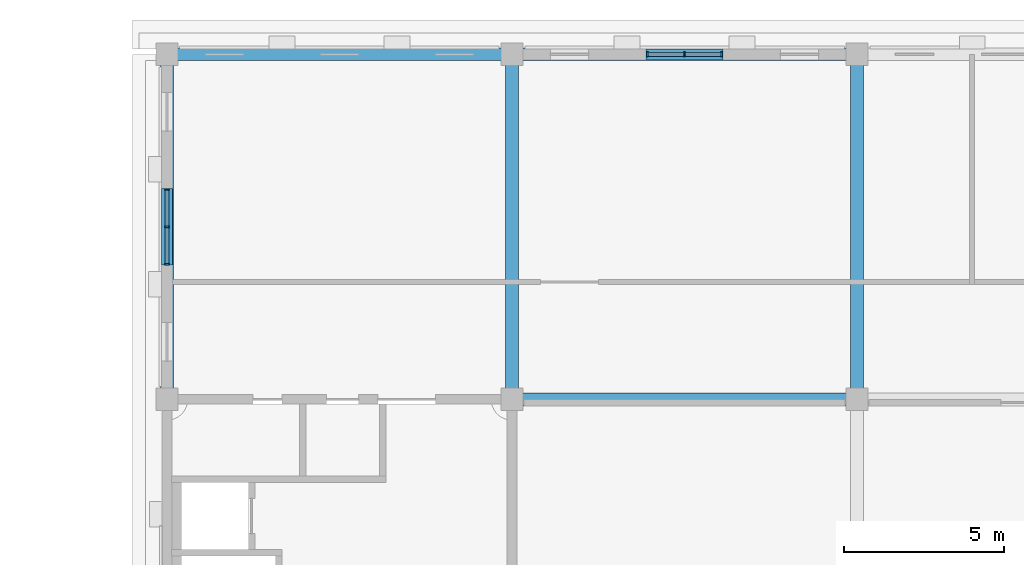
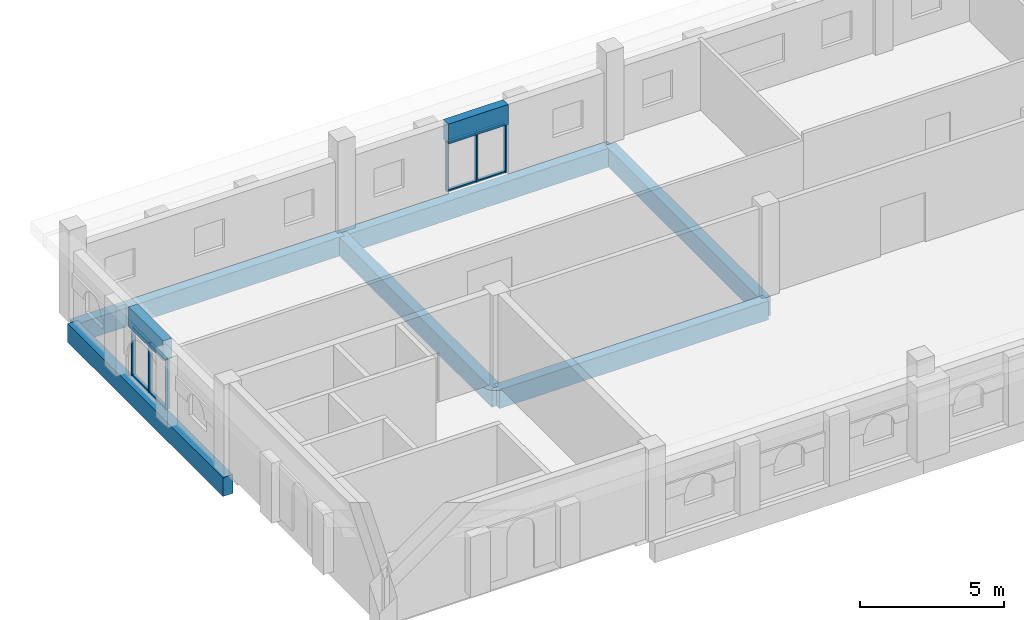
# One storey, part 3 of 10: 14 members, 8 beams, 2 elements without a shape of their own.
"""IFC4 building model written with IfcOpenShell, lengths in metres."""

from ifc_helpers import new_model, si_unit, direction, frame, origin, origin_2d, place, context, subcontext, project, spatial, rectangle, extrude, material, layer, layer_set, material_profile, profile_set, type_object, element, aggregate, save


model = new_model("IFC4")

# Units and contexts
model_context = context("Model", 3, precision=1e-05, world=origin(), true_north=direction((0.0, 1.0)))
body_context = subcontext(model_context, "Body", "Model", "MODEL_VIEW")
ifc_project = project(units=[si_unit("LENGTHUNIT", "METRE"), si_unit("AREAUNIT", "SQUARE_METRE"), si_unit("VOLUMEUNIT", "CUBIC_METRE"), si_unit("PLANEANGLEUNIT", "RADIAN"), si_unit("MASSUNIT", "GRAM", prefix="KILO")], contexts=[model_context])

# Site, building, storey
site_placement = place(None, origin())
site = spatial("IfcSite", under=ifc_project, at=site_placement, CompositionType="ELEMENT")
building_placement = place(site_placement, origin())
building = spatial("IfcBuilding", under=site, at=building_placement, Name="Magnolia Steps Interchange", CompositionType="ELEMENT")
storey_placement = place(building_placement, frame((0.0, 0.0, 24.300048828125)))
storey = spatial("IfcBuildingStorey", under=building, at=storey_placement, Name="L06", CompositionType="ELEMENT", Elevation=24.300048828125)

# Curtain wall, members
ifc_material_1 = material(Name="Powder-coated aluminium and glass", Category="aluminium")
ifc_layer = layer(ifc_material_1, 0.199951171875)
ifc_layer_set = layer_set([ifc_layer], Name="Glazed central bay curtain wall")
curtain_wall_type = type_object("IfcCurtainWallType", Name="Glazed central bay curtain wall", PredefinedType="NOTDEFINED", material=ifc_layer_set)
curtain_wall_1_placement = place(storey_placement, origin())
curtain_wall_1 = element("IfcCurtainWall", 1, at=curtain_wall_1_placement, inside=storey, type_object=curtain_wall_type, Name="Operations building north wall L06 glazing 2", PredefinedType="NOTDEFINED")
ifc_material_2 = material(Name="White powder-coated aluminium", Category="aluminium")
ifc_material_profile_1 = material_profile(ifc_material_2, rectangle(XDim=0.06005859375, YDim=0.14990234375, at=origin_2d()), Name="Aluminium mullion 60 x 150")
ifc_profile_set_1 = profile_set([ifc_material_profile_1], Name="White powder-coated aluminium")
member_type_1 = type_object("IfcMemberType", Name="Aluminium mullion 60 x 150", PredefinedType="MULLION", material=ifc_profile_set_1)
member_1_placement = place(storey_placement, frame((79.030029296875, 118.0, 0.0), z_axis=(0.0, 0.0, 1.0), x_axis=(1.0, 0.0, 0.0)))
member_1 = element("IfcMember", 2, at=member_1_placement, type_object=member_type_1, Name="CW2 mullion 1", PredefinedType="MULLION", context=body_context, shape_type="SweptSolid", body=[
    extrude(rectangle(XDim=0.06005859375, YDim=0.14990234375, at=origin_2d()), origin(), (0.0, 0.0, 1.0), 2.099853515625),
])
member_2_placement = place(storey_placement, frame((80.199951171875, 118.0, 0.0), z_axis=(0.0, 0.0, 1.0), x_axis=(1.0, 0.0, 0.0)))
member_2 = element("IfcMember", 3, at=member_2_placement, type_object=member_type_1, Name="CW2 mullion 2", PredefinedType="MULLION", context=body_context, shape_type="SweptSolid", body=[
    extrude(rectangle(XDim=0.06005859375, YDim=0.14990234375, at=origin_2d()), origin(), (0.0, 0.0, 1.0), 2.099853515625),
])
member_3_placement = place(storey_placement, frame((81.3701171875, 118.0, 0.0), z_axis=(0.0, 0.0, 1.0), x_axis=(1.0, 0.0, 0.0)))
member_3 = element("IfcMember", 4, at=member_3_placement, type_object=member_type_1, Name="CW2 mullion 3", PredefinedType="MULLION", context=body_context, shape_type="SweptSolid", body=[
    extrude(rectangle(XDim=0.06005859375, YDim=0.14990234375, at=origin_2d()), origin(), (0.0, 0.0, 1.0), 2.099853515625),
])

curtain_wall_2_placement = place(storey_placement, origin())
curtain_wall_2 = element("IfcCurtainWall", 5, at=curtain_wall_2_placement, inside=storey, type_object=curtain_wall_type, Name="Operations building west wall L06 glazing 2", PredefinedType="NOTDEFINED")
member_4_placement = place(storey_placement, frame((64.0, 111.429931640625, 0.0), z_axis=(0.0, 0.0, 1.0), x_axis=(0.0, 1.0, 0.0)))
member_4 = element("IfcMember", 6, at=member_4_placement, type_object=member_type_1, Name="CW2 mullion 1", PredefinedType="MULLION", context=body_context, shape_type="SweptSolid", body=[
    extrude(rectangle(XDim=0.06005859375, YDim=0.14990234375, at=origin_2d()), origin(), (0.0, 0.0, 1.0), 2.099853515625),
])
member_5_placement = place(storey_placement, frame((64.0, 112.60009765625, 0.0), z_axis=(0.0, 0.0, 1.0), x_axis=(0.0, 1.0, 0.0)))
member_5 = element("IfcMember", 7, at=member_5_placement, type_object=member_type_1, Name="CW2 mullion 2", PredefinedType="MULLION", context=body_context, shape_type="SweptSolid", body=[
    extrude(rectangle(XDim=0.06005859375, YDim=0.14990234375, at=origin_2d()), origin(), (0.0, 0.0, 1.0), 2.099853515625),
])
member_6_placement = place(storey_placement, frame((64.0, 113.77001953125, 0.0), z_axis=(0.0, 0.0, 1.0), x_axis=(0.0, 1.0, 0.0)))
member_6 = element("IfcMember", 8, at=member_6_placement, type_object=member_type_1, Name="CW2 mullion 3", PredefinedType="MULLION", context=body_context, shape_type="SweptSolid", body=[
    extrude(rectangle(XDim=0.06005859375, YDim=0.14990234375, at=origin_2d()), origin(), (0.0, 0.0, 1.0), 2.099853515625),
])

# Member
ifc_material_3 = material(Name="White powder-coated aluminium", Category="aluminium")
ifc_material_profile_2 = material_profile(ifc_material_3, rectangle(XDim=0.06005859375, YDim=0.1201171875, at=origin_2d()), Name="Aluminium transom 60 x 120")
ifc_profile_set_2 = profile_set([ifc_material_profile_2], Name="White powder-coated aluminium")
member_type_2 = type_object("IfcMemberType", Name="Aluminium transom 60 x 120", PredefinedType="USERDEFINED", material=ifc_profile_set_2)
member_7_placement = place(storey_placement, frame((79.06005859375, 118.0, 0.030029296875), z_axis=(1.0, 0.0, 0.0), x_axis=(0.0, 0.0, 1.0)))
member_7 = element("IfcMember", 9, at=member_7_placement, type_object=member_type_2, Name="CW2 transom 1.1", ObjectType="TRANSOM", PredefinedType="USERDEFINED", context=body_context, shape_type="SweptSolid", body=[
    extrude(rectangle(XDim=0.06005859375, YDim=0.1201171875, at=origin_2d()), origin(), (0.0, 0.0, 1.0), 1.10986328125),
])

member_8_placement = place(storey_placement, frame((79.06005859375, 118.0, 2.070068359375), z_axis=(1.0, 0.0, 0.0), x_axis=(0.0, 0.0, 1.0)))
member_8 = element("IfcMember", 10, at=member_8_placement, type_object=member_type_2, Name="CW2 transom 1.2", ObjectType="TRANSOM", PredefinedType="USERDEFINED", context=body_context, shape_type="SweptSolid", body=[
    extrude(rectangle(XDim=0.06005859375, YDim=0.1201171875, at=origin_2d()), origin(), (0.0, 0.0, 1.0), 1.10986328125),
])

member_9_placement = place(storey_placement, frame((80.22998046875, 118.0, 0.030029296875), z_axis=(1.0, 0.0, 0.0), x_axis=(0.0, 0.0, 1.0)))
member_9 = element("IfcMember", 11, at=member_9_placement, type_object=member_type_2, Name="CW2 transom 2.1", ObjectType="TRANSOM", PredefinedType="USERDEFINED", context=body_context, shape_type="SweptSolid", body=[
    extrude(rectangle(XDim=0.06005859375, YDim=0.1201171875, at=origin_2d()), origin(), (0.0, 0.0, 1.0), 1.110107421875),
])

member_10_placement = place(storey_placement, frame((80.22998046875, 118.0, 2.070068359375), z_axis=(1.0, 0.0, 0.0), x_axis=(0.0, 0.0, 1.0)))
member_10 = element("IfcMember", 12, at=member_10_placement, type_object=member_type_2, Name="CW2 transom 2.2", ObjectType="TRANSOM", PredefinedType="USERDEFINED", context=body_context, shape_type="SweptSolid", body=[
    extrude(rectangle(XDim=0.06005859375, YDim=0.1201171875, at=origin_2d()), origin(), (0.0, 0.0, 1.0), 1.110107421875),
])

aggregate(curtain_wall_1, [member_1, member_2, member_3, member_7, member_8, member_9, member_10])

member_11_placement = place(storey_placement, frame((64.0, 111.4599609375, 0.030029296875), z_axis=(0.0, 1.0, 0.0), x_axis=(0.0, 0.0, 1.0)))
member_11 = element("IfcMember", 13, at=member_11_placement, type_object=member_type_2, Name="CW2 transom 1.1", ObjectType="TRANSOM", PredefinedType="USERDEFINED", context=body_context, shape_type="SweptSolid", body=[
    extrude(rectangle(XDim=0.06005859375, YDim=0.1201171875, at=origin_2d()), origin(), (0.0, 0.0, 1.0), 1.110107421875),
])

member_12_placement = place(storey_placement, frame((64.0, 111.4599609375, 2.070068359375), z_axis=(0.0, 1.0, 0.0), x_axis=(0.0, 0.0, 1.0)))
member_12 = element("IfcMember", 14, at=member_12_placement, type_object=member_type_2, Name="CW2 transom 1.2", ObjectType="TRANSOM", PredefinedType="USERDEFINED", context=body_context, shape_type="SweptSolid", body=[
    extrude(rectangle(XDim=0.06005859375, YDim=0.1201171875, at=origin_2d()), origin(), (0.0, 0.0, 1.0), 1.110107421875),
])

member_13_placement = place(storey_placement, frame((64.0, 112.6298828125, 0.030029296875), z_axis=(0.0, 1.0, 0.0), x_axis=(0.0, 0.0, 1.0)))
member_13 = element("IfcMember", 15, at=member_13_placement, type_object=member_type_2, Name="CW2 transom 2.1", ObjectType="TRANSOM", PredefinedType="USERDEFINED", context=body_context, shape_type="SweptSolid", body=[
    extrude(rectangle(XDim=0.06005859375, YDim=0.1201171875, at=origin_2d()), origin(), (0.0, 0.0, 1.0), 1.110107421875),
])

member_14_placement = place(storey_placement, frame((64.0, 112.6298828125, 2.070068359375), z_axis=(0.0, 1.0, 0.0), x_axis=(0.0, 0.0, 1.0)))
member_14 = element("IfcMember", 16, at=member_14_placement, type_object=member_type_2, Name="CW2 transom 2.2", ObjectType="TRANSOM", PredefinedType="USERDEFINED", context=body_context, shape_type="SweptSolid", body=[
    extrude(rectangle(XDim=0.06005859375, YDim=0.1201171875, at=origin_2d()), origin(), (0.0, 0.0, 1.0), 1.110107421875),
])

aggregate(curtain_wall_2, [member_4, member_5, member_6, member_11, member_12, member_13, member_14])

# Beams
ifc_material_4 = material(Name="Concrete C40", Category="concrete")
ifc_material_profile_3 = material_profile(ifc_material_4, rectangle(XDim=0.35009765625, YDim=0.85009765625, at=origin_2d()), Name="RC350x850")
ifc_profile_set_3 = profile_set([ifc_material_profile_3], Name="Concrete C40")
beam_type_1 = type_object("IfcBeamType", Name="Lime render lintel 350x850", PredefinedType="LINTEL", material=ifc_profile_set_3)
beam_1_placement = place(storey_placement, frame((79.0, 118.0, 2.52490234375), z_axis=(1.0, 0.0, 0.0), x_axis=(0.0, 1.0, 0.0)))
element("IfcBeam", 17, at=beam_1_placement, inside=storey, type_object=beam_type_1, Name="Operations building north wall L06 lintel 2", PredefinedType="LINTEL", context=body_context, shape_type="SweptSolid", body=[
    extrude(rectangle(XDim=0.35009765625, YDim=0.85009765625, at=origin_2d()), origin(), (0.0, 0.0, 1.0), 2.39990234375),
])
beam_2_placement = place(storey_placement, frame((64.0, 111.39990234375, 2.52490234375), z_axis=(0.0, 1.0, 0.0), x_axis=(-1.0, 0.0, 0.0)))
element("IfcBeam", 18, at=beam_2_placement, inside=storey, type_object=beam_type_1, Name="Operations building west wall L06 lintel 2", PredefinedType="LINTEL", context=body_context, shape_type="SweptSolid", body=[
    extrude(rectangle(XDim=0.35009765625, YDim=0.85009765625, at=origin_2d()), origin(), (0.0, 0.0, 1.0), 2.400146484375),
])
ifc_material_5 = material(Name="Concrete C40", Category="concrete")
ifc_material_profile_4 = material_profile(ifc_material_5, rectangle(XDim=0.39990234375, YDim=0.800048828125, at=origin_2d()), Name="RC400x800")
ifc_profile_set_4 = profile_set([ifc_material_profile_4], Name="Concrete C40")
beam_type_2 = type_object("IfcBeamType", Name="RC beam 400x800", PredefinedType="BEAM", material=ifc_profile_set_4)
for number, where, z_axis, x_axis, name in (
    (19, (74.800048828125, 107.199951171875, -0.699951171875), (1.0, 0.0, 0.0), (0.0, 1.0, 0.0), "Beam L06 J 7-8"),
    (20, (64.0, 118.0, -0.699951171875), (1.0, 0.0, 0.0), (0.0, 1.0, 0.0), "Beam L06 K 6-7"),
    (21, (74.800048828125, 118.0, -0.699951171875), (1.0, 0.0, 0.0), (0.0, 1.0, 0.0), "Beam L06 K 7-8"),
    (22, (64.0, 107.199951171875, -0.699951171875), (0.0, 1.0, 0.0), (-1.0, 0.0, 0.0), "Beam L06 6 J-K"),
    (23, (74.800048828125, 107.199951171875, -0.699951171875), (0.0, 1.0, 0.0), (-1.0, 0.0, 0.0), "Beam L06 7 J-K"),
    (24, (85.60009765625, 107.199951171875, -0.699951171875), (0.0, 1.0, 0.0), (-1.0, 0.0, 0.0), "Beam L06 8 J-K"),
):
    element("IfcBeam", number, at=place(storey_placement, frame(where, z_axis=z_axis, x_axis=x_axis)), inside=storey, type_object=beam_type_2, Name=name, PredefinedType="BEAM", context=body_context, shape_type="SweptSolid", body=[
        extrude(rectangle(XDim=0.39990234375, YDim=0.800048828125, at=origin_2d()), origin(), (0.0, 0.0, 1.0), 10.800048828125),
    ])

save(model, "model.ifc")
